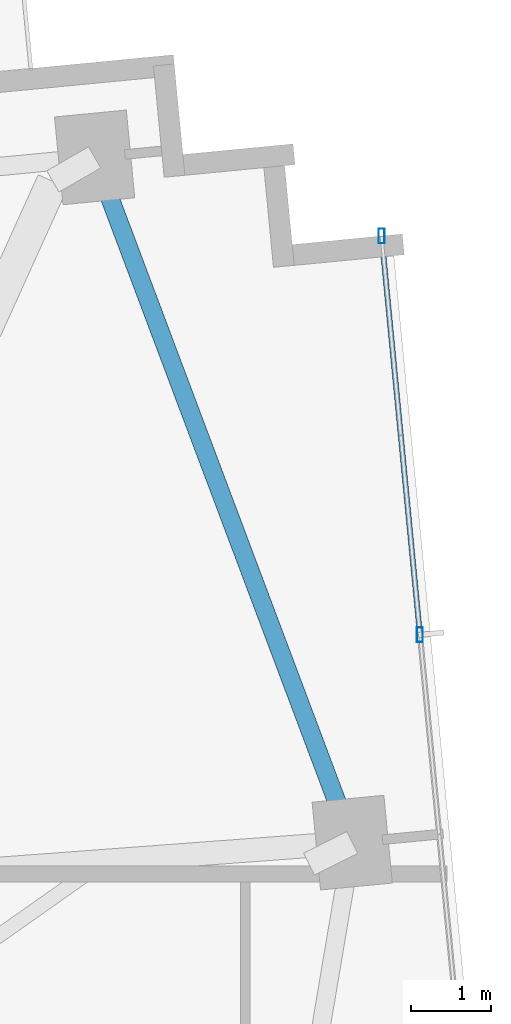
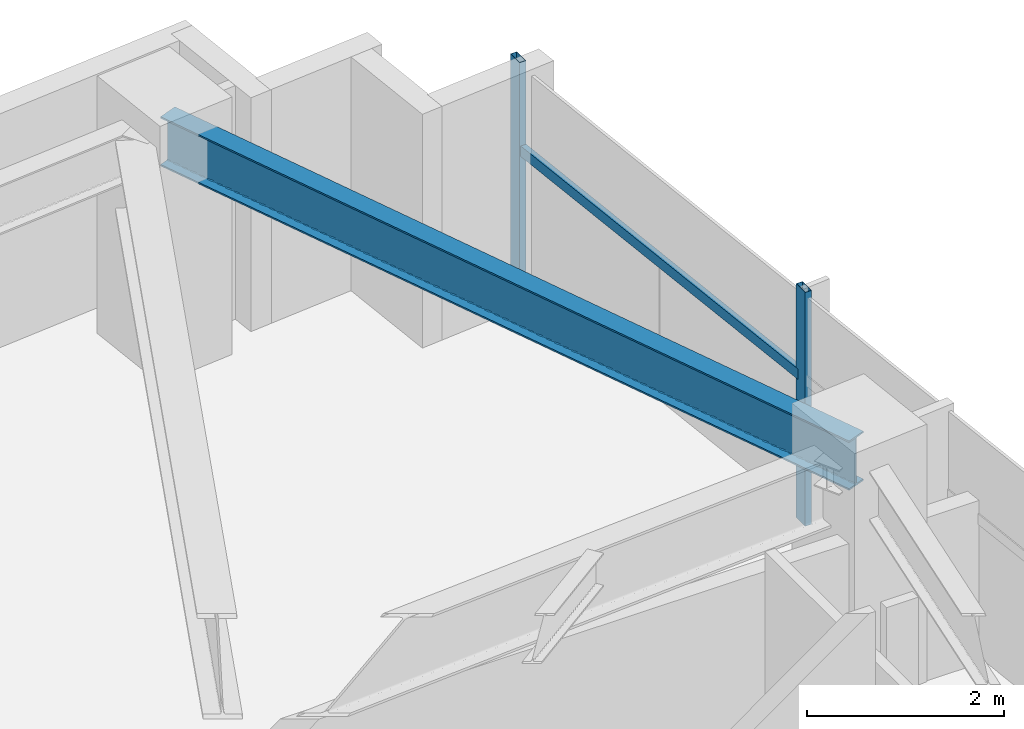
# One storey, part 19 of 27: 3 members, 1 beam, 1 element without a shape of its own.
"""IFC4 building model written with IfcOpenShell, lengths in metres."""

from ifc_helpers import new_model, si_unit, direction, frame, origin, origin_2d, place, context, subcontext, project, spatial, hollow_rectangle, i_section, extrude, source, transform, mapped, material, material_profile, profile_set, type_object, type_shapes, element, aggregate, save


model = new_model("IFC4")

# Units and contexts
model_context = context("Model", 3, precision=1e-05, world=origin(), true_north=direction((0.0, 1.0)))
body_context = subcontext(model_context, "Body", "Model", "MODEL_VIEW")
ifc_project = project(units=[si_unit("LENGTHUNIT", "METRE"), si_unit("AREAUNIT", "SQUARE_METRE"), si_unit("VOLUMEUNIT", "CUBIC_METRE"), si_unit("PLANEANGLEUNIT", "RADIAN"), si_unit("MASSUNIT", "GRAM", prefix="KILO")], contexts=[model_context])

# Site, building, storey
site_placement = place(None, origin())
site = spatial("IfcSite", under=ifc_project, at=site_placement, CompositionType="ELEMENT")
building_placement = place(site_placement, origin())
building = spatial("IfcBuilding", under=site, at=building_placement, Name="Astriad Promenade Condominiums", CompositionType="ELEMENT")
storey_placement = place(building_placement, frame((0.0, 0.0, 116.199951171875)))
storey = spatial("IfcBuildingStorey", under=building, at=storey_placement, Name="L33", CompositionType="ELEMENT", Elevation=116.199951171875)

# Beam
ifc_material_1 = material(Name="Steel ASTM A992 Grade 50", Category="steel")
ifc_material_profile_1 = material_profile(ifc_material_1, i_section(OverallWidth=0.22900390625, OverallDepth=0.612060546875, WebThickness=0.011962890625, FlangeThickness=0.01953125, FilletRadius=0.017822265625, at=origin_2d()), Name="W24X84")
ifc_profile_set_1 = profile_set([ifc_material_profile_1], Name="Steel ASTM A992 Grade 50")
beam_type = type_object("IfcBeamType", Name="STEEL SPANDREL BEAM W24X84", PredefinedType="SPANDREL", material=ifc_profile_set_1)
shared_shape_1 = source(origin(), body_context, "Body", "SweptSolid", [
    extrude(i_section(OverallWidth=0.22900390625, OverallDepth=0.612060546875, WebThickness=0.011962890625, FlangeThickness=0.01953125, FilletRadius=0.017822265625, at=origin_2d()), origin(), (0.0, 0.0, 1.0), 9.0556640625),
])
type_shapes(beam_type, [shared_shape_1])
beam_placement = place(storey_placement, frame((67.63427734375, 19.07666015625, 2.593994140625), z_axis=(-0.351856057459, 0.936054119605, 0.0), x_axis=(-0.936054119605, -0.351856057459, 0.0)))
element("IfcBeam", 1, at=beam_placement, inside=storey, type_object=beam_type, Name="Perimeter Spandrel Beam SP-E2-L33", PredefinedType="SPANDREL", context=body_context, shape_type="MappedRepresentation", body=[
    mapped(shared_shape_1, transform((0.0, 0.0, 0.0), scale=1.0)),
])

# Curtain wall, members
ifc_material_2 = material(Name="Anodised aluminium Black Dark Glass Unitised", Category="aluminium")
curtain_wall_type = type_object("IfcCurtainWallType", Name="CW-B2-DARK", PredefinedType="USERDEFINED", material=ifc_material_2)
curtain_wall_placement = place(storey_placement, origin())
curtain_wall = element("IfcCurtainWall", 2, at=curtain_wall_placement, inside=storey, type_object=curtain_wall_type, Name="CW-L33-E", ObjectType="UNITISED_CURTAIN_WALL", PredefinedType="USERDEFINED")
ifc_material_3 = material(Name="Anodised aluminium 6063-T6 Black", Category="aluminium")
ifc_material_profile_2 = material_profile(ifc_material_3, hollow_rectangle(XDim=0.06494140625, YDim=0.1298828125, WallThickness=0.00390625, at=origin_2d()), Name="ALU-TRN-65X130")
ifc_profile_set_2 = profile_set([ifc_material_profile_2], Name="Anodised aluminium 6063-T6 Black")
member_type_1 = type_object("IfcMemberType", Name="TRN-ALU-TRN-65X130", PredefinedType="USERDEFINED", material=ifc_profile_set_2)
shared_shape_2 = source(origin(), body_context, "Body", "SweptSolid", [
    extrude(hollow_rectangle(XDim=0.06494140625, YDim=0.1298828125, WallThickness=0.00390625, at=origin_2d()), origin(), (0.0, 0.0, 1.0), 5.0),
])
type_shapes(member_type_1, [shared_shape_2])
member_1_placement = place(storey_placement, frame((68.0146484375, 26.609130859375, 1.798095703125), z_axis=(0.095848242264, -0.995395958629, 0.0), x_axis=(0.995395958629, 0.095848242264, 0.0)))
member_1 = element("IfcMember", 3, at=member_1_placement, type_object=member_type_1, Name="CW-L33-E-TRN-00-0", ObjectType="TRANSOM", PredefinedType="USERDEFINED", context=body_context, shape_type="MappedRepresentation", body=[
    mapped(shared_shape_2, transform((0.0, 0.0, 0.0), scale=1.0)),
])
ifc_material_profile_3 = material_profile(ifc_material_3, hollow_rectangle(XDim=0.074951171875, YDim=0.18505859375, WallThickness=0.00439453125, at=origin_2d()), Name="ALU-MUL-75X185")
ifc_profile_set_3 = profile_set([ifc_material_profile_3], Name="Anodised aluminium 6063-T6 Black")
member_type_2 = type_object("IfcMemberType", Name="MUL-ALU-MUL-75X185", PredefinedType="MULLION", material=ifc_profile_set_3)
shared_shape_3 = source(origin(), body_context, "Body", "SweptSolid", [
    extrude(hollow_rectangle(XDim=0.074951171875, YDim=0.18505859375, WallThickness=0.00439453125, at=origin_2d()), origin(), (0.0, 0.0, 1.0), 2.900146484375),
])
type_shapes(member_type_2, [shared_shape_3])
member_2_placement = place(storey_placement, frame((68.0146484375, 26.609130859375, 0.0), z_axis=(0.0, 0.0, 1.0), x_axis=(1.0, 0.0, 0.0)))
member_2 = element("IfcMember", 4, at=member_2_placement, type_object=member_type_2, Name="CW-L33-E-MUL-00", PredefinedType="MULLION", context=body_context, shape_type="MappedRepresentation", body=[
    mapped(shared_shape_3, transform((0.0, 0.0, 0.0), scale=1.0)),
])
member_3_placement = place(storey_placement, frame((68.493896484375, 21.632080078125, 0.0), z_axis=(0.0, 0.0, 1.0), x_axis=(1.0, 0.0, 0.0)))
member_3 = element("IfcMember", 5, at=member_3_placement, type_object=member_type_2, Name="CW-L33-E-MUL-01", PredefinedType="MULLION", context=body_context, shape_type="MappedRepresentation", body=[
    mapped(shared_shape_3, transform((0.0, 0.0, 0.0), scale=1.0)),
])
aggregate(curtain_wall, [member_2, member_3, member_1])

save(model, "model.ifc")
